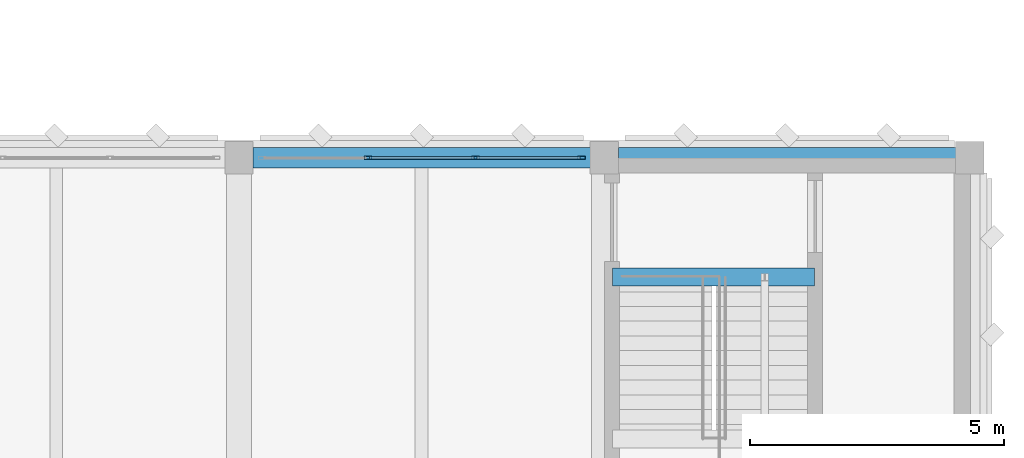
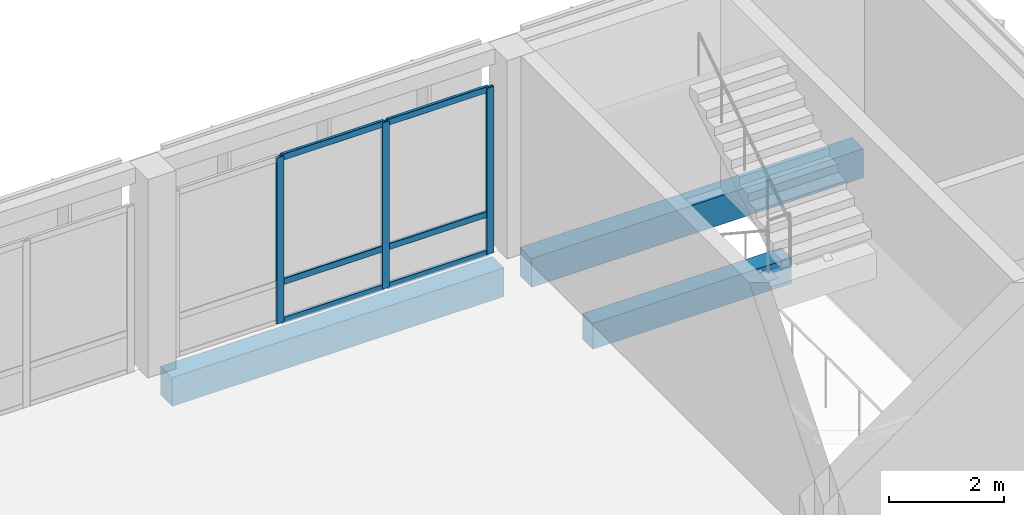
# One storey, part 120 of 158: 9 members, 3 beams, 1 element without a shape of its own.
"""IFC4 building model written with IfcOpenShell, lengths in metres."""

from ifc_helpers import new_model, si_unit, direction, frame, origin, origin_2d, place, context, subcontext, project, spatial, rectangle, hollow_rectangle, extrude, material, material_profile, profile_set, type_object, element, aggregate, save


model = new_model("IFC4")

# Units and contexts
model_context = context("Model", 3, precision=1e-05, world=origin(), true_north=direction((0.0, 1.0)))
body_context = subcontext(model_context, "Body", "Model", "MODEL_VIEW")
ifc_project = project(units=[si_unit("LENGTHUNIT", "METRE"), si_unit("AREAUNIT", "SQUARE_METRE"), si_unit("VOLUMEUNIT", "CUBIC_METRE"), si_unit("PLANEANGLEUNIT", "RADIAN"), si_unit("MASSUNIT", "GRAM", prefix="KILO")], contexts=[model_context])

# Site, building, storey
site_placement = place(None, origin())
site = spatial("IfcSite", under=ifc_project, at=site_placement, CompositionType="ELEMENT")
building_placement = place(site_placement, origin())
building = spatial("IfcBuilding", under=site, at=building_placement, Name="Lusvemor Sports Hall", CompositionType="ELEMENT")
storey_placement = place(building_placement, frame((0.0, 0.0, 10.800048828125)))
storey = spatial("IfcBuildingStorey", under=building, at=storey_placement, Name="L02", CompositionType="ELEMENT", Elevation=10.800048828125)

# Beam
ifc_material_1 = material(Name="Concrete C40/50", Category="concrete")
ifc_material_profile_1 = material_profile(ifc_material_1, rectangle(XDim=0.35009765625, YDim=0.550048828125, at=origin_2d()), Name="RC350x550")
ifc_profile_set_1 = profile_set([ifc_material_profile_1], Name="Concrete C40/50")
beam_type_1 = type_object("IfcBeamType", Name="BEAM_RC_550", PredefinedType="BEAM", material=ifc_profile_set_1)
beam_placement = place(storey_placement, frame((162.159912109375, 112.85009765625, -0.455078125), z_axis=(1.0, 0.0, 0.0), x_axis=(0.0, 1.0, 0.0)))
element("IfcBeam", 1, at=beam_placement, inside=storey, type_object=beam_type_1, Name="Stair STR-C5-L01 Top-Landing Beam", PredefinedType="BEAM", context=body_context, shape_type="SweptSolid", body=[
    extrude(rectangle(XDim=0.35009765625, YDim=0.550048828125, at=origin_2d()), origin(), (0.0, 0.0, 1.0), 3.97998046875),
])

# Curtain wall, members
ifc_material_2 = material(Name="Thermally broken bronze-anodized aluminium", Category="aluminium")
curtain_wall_type = type_object("IfcCurtainWallType", Name="CW_WING_B", PredefinedType="NOTDEFINED", material=ifc_material_2)
curtain_wall_placement = place(storey_placement, origin())
curtain_wall = element("IfcCurtainWall", 2, at=curtain_wall_placement, inside=storey, type_object=curtain_wall_type, Name="Curtain Wall CW-L02-N-1-17", PredefinedType="NOTDEFINED")
ifc_material_3 = material(Name="Thermally broken bronze-anodized aluminium", Category="aluminium")
ifc_material_profile_2 = material_profile(ifc_material_3, hollow_rectangle(XDim=0.06494140625, YDim=0.14990234375, WallThickness=0.00390625, InnerFilletRadius=0.00390625, OuterFilletRadius=0.008056640625, at=origin_2d()), Name="CWMUL150x65x4")
ifc_profile_set_2 = profile_set([ifc_material_profile_2], Name="Thermally broken bronze-anodized aluminium")
member_type_1 = type_object("IfcMemberType", Name="CW_MUL_B", PredefinedType="MULLION", material=ifc_profile_set_2)
member_1_placement = place(storey_placement, frame((157.340087890625, 115.199951171875, 0.0), z_axis=(0.0, 0.0, 1.0), x_axis=(0.0, 1.0, 0.0)))
member_1 = element("IfcMember", 3, at=member_1_placement, type_object=member_type_1, Name="CW02 mullion 2", PredefinedType="MULLION", context=body_context, shape_type="SweptSolid", body=[
    extrude(hollow_rectangle(XDim=0.06494140625, YDim=0.14990234375, WallThickness=0.00390625, InnerFilletRadius=0.00390625, OuterFilletRadius=0.008056640625, at=origin_2d()), origin(), (0.0, 0.0, 1.0), 3.52001953125),
])
member_2_placement = place(storey_placement, frame((159.4599609375, 115.199951171875, 0.0), z_axis=(0.0, 0.0, 1.0), x_axis=(0.0, 1.0, 0.0)))
member_2 = element("IfcMember", 4, at=member_2_placement, type_object=member_type_1, Name="CW02 mullion 3", PredefinedType="MULLION", context=body_context, shape_type="SweptSolid", body=[
    extrude(hollow_rectangle(XDim=0.06494140625, YDim=0.14990234375, WallThickness=0.00390625, InnerFilletRadius=0.00390625, OuterFilletRadius=0.008056640625, at=origin_2d()), origin(), (0.0, 0.0, 1.0), 3.52001953125),
])
member_3_placement = place(storey_placement, frame((161.547607421875, 115.199951171875, 0.0), z_axis=(0.0, 0.0, 1.0), x_axis=(0.0, 1.0, 0.0)))
member_3 = element("IfcMember", 5, at=member_3_placement, type_object=member_type_1, Name="CW02 mullion 4", PredefinedType="MULLION", context=body_context, shape_type="SweptSolid", body=[
    extrude(hollow_rectangle(XDim=0.06494140625, YDim=0.14990234375, WallThickness=0.00390625, InnerFilletRadius=0.00390625, OuterFilletRadius=0.008056640625, at=origin_2d()), origin(), (0.0, 0.0, 1.0), 3.52001953125),
])
ifc_material_4 = material(Name="Thermally broken bronze-anodized aluminium", Category="aluminium")
ifc_material_profile_3 = material_profile(ifc_material_4, hollow_rectangle(XDim=0.06005859375, YDim=0.135009765625, WallThickness=0.00390625, InnerFilletRadius=0.00390625, OuterFilletRadius=0.008056640625, at=origin_2d()), Name="CWTRN135x60x4")
ifc_profile_set_3 = profile_set([ifc_material_profile_3], Name="Thermally broken bronze-anodized aluminium")
member_type_2 = type_object("IfcMemberType", Name="CW_TRN_B", PredefinedType="USERDEFINED", material=ifc_profile_set_3)
member_4_placement = place(storey_placement, frame((157.37255859375, 115.199951171875, 0.030029296875), z_axis=(1.0, 0.0, 0.0), x_axis=(0.0, 1.0, 0.0)))
member_4 = element("IfcMember", 6, at=member_4_placement, type_object=member_type_2, Name="CW02 transom 2.1", ObjectType="TRANSOM", PredefinedType="USERDEFINED", context=body_context, shape_type="SweptSolid", body=[
    extrude(hollow_rectangle(XDim=0.06005859375, YDim=0.135009765625, WallThickness=0.00390625, InnerFilletRadius=0.00390625, OuterFilletRadius=0.008056640625, at=origin_2d()), origin(), (0.0, 0.0, 1.0), 2.054931640625),
])
member_5_placement = place(storey_placement, frame((157.37255859375, 115.199951171875, 0.849853515625), z_axis=(1.0, 0.0, 0.0), x_axis=(0.0, 1.0, 0.0)))
member_5 = element("IfcMember", 7, at=member_5_placement, type_object=member_type_2, Name="CW02 transom 2.2", ObjectType="TRANSOM", PredefinedType="USERDEFINED", context=body_context, shape_type="SweptSolid", body=[
    extrude(hollow_rectangle(XDim=0.06005859375, YDim=0.135009765625, WallThickness=0.00390625, InnerFilletRadius=0.00390625, OuterFilletRadius=0.008056640625, at=origin_2d()), origin(), (0.0, 0.0, 1.0), 2.054931640625),
])
member_6_placement = place(storey_placement, frame((157.37255859375, 115.199951171875, 3.489990234375), z_axis=(1.0, 0.0, 0.0), x_axis=(0.0, 1.0, 0.0)))
member_6 = element("IfcMember", 8, at=member_6_placement, type_object=member_type_2, Name="CW02 transom 2.3", ObjectType="TRANSOM", PredefinedType="USERDEFINED", context=body_context, shape_type="SweptSolid", body=[
    extrude(hollow_rectangle(XDim=0.06005859375, YDim=0.135009765625, WallThickness=0.00390625, InnerFilletRadius=0.00390625, OuterFilletRadius=0.008056640625, at=origin_2d()), origin(), (0.0, 0.0, 1.0), 2.054931640625),
])
member_7_placement = place(storey_placement, frame((159.492431640625, 115.199951171875, 0.030029296875), z_axis=(1.0, 0.0, 0.0), x_axis=(0.0, 1.0, 0.0)))
member_7 = element("IfcMember", 9, at=member_7_placement, type_object=member_type_2, Name="CW02 transom 3.1", ObjectType="TRANSOM", PredefinedType="USERDEFINED", context=body_context, shape_type="SweptSolid", body=[
    extrude(hollow_rectangle(XDim=0.06005859375, YDim=0.135009765625, WallThickness=0.00390625, InnerFilletRadius=0.00390625, OuterFilletRadius=0.008056640625, at=origin_2d()), origin(), (0.0, 0.0, 1.0), 2.0224609375),
])
member_8_placement = place(storey_placement, frame((159.492431640625, 115.199951171875, 0.849853515625), z_axis=(1.0, 0.0, 0.0), x_axis=(0.0, 1.0, 0.0)))
member_8 = element("IfcMember", 10, at=member_8_placement, type_object=member_type_2, Name="CW02 transom 3.2", ObjectType="TRANSOM", PredefinedType="USERDEFINED", context=body_context, shape_type="SweptSolid", body=[
    extrude(hollow_rectangle(XDim=0.06005859375, YDim=0.135009765625, WallThickness=0.00390625, InnerFilletRadius=0.00390625, OuterFilletRadius=0.008056640625, at=origin_2d()), origin(), (0.0, 0.0, 1.0), 2.0224609375),
])
member_9_placement = place(storey_placement, frame((159.492431640625, 115.199951171875, 3.489990234375), z_axis=(1.0, 0.0, 0.0), x_axis=(0.0, 1.0, 0.0)))
member_9 = element("IfcMember", 11, at=member_9_placement, type_object=member_type_2, Name="CW02 transom 3.3", ObjectType="TRANSOM", PredefinedType="USERDEFINED", context=body_context, shape_type="SweptSolid", body=[
    extrude(hollow_rectangle(XDim=0.06005859375, YDim=0.135009765625, WallThickness=0.00390625, InnerFilletRadius=0.00390625, OuterFilletRadius=0.008056640625, at=origin_2d()), origin(), (0.0, 0.0, 1.0), 2.0224609375),
])
aggregate(curtain_wall, [member_1, member_2, member_3, member_4, member_5, member_6, member_7, member_8, member_9])

# Beams
ifc_material_5 = material(Name="Concrete C40/50", Category="concrete")
ifc_material_profile_4 = material_profile(ifc_material_5, rectangle(XDim=0.39990234375, YDim=0.610107421875, at=origin_2d()), Name="RC400x610")
ifc_profile_set_4 = profile_set([ifc_material_profile_4], Name="Concrete C40/50")
beam_type_2 = type_object("IfcBeamType", Name="SPAND_EXT_650", PredefinedType="SPANDREL", material=ifc_profile_set_4)
for number, where, z_axis, x_axis, name in (
    (12, (155.075927734375, 115.199951171875, -0.56494140625), (1.0, 0.0, 0.0), (0.0, 1.0, 0.0), "Beam L02 Q:18-19"),
    (13, (162.27587890625, 115.199951171875, -0.56494140625), (1.0, 0.0, 0.0), (0.0, 1.0, 0.0), "Beam L02 Q:19-20"),
):
    element("IfcBeam", number, at=place(storey_placement, frame(where, z_axis=z_axis, x_axis=x_axis)), inside=storey, type_object=beam_type_2, Name=name, PredefinedType="SPANDREL", context=body_context, shape_type="SweptSolid", body=[
        extrude(rectangle(XDim=0.39990234375, YDim=0.610107421875, at=origin_2d()), origin(), (0.0, 0.0, 1.0), 6.648193359375),
    ])

save(model, "model.ifc")
